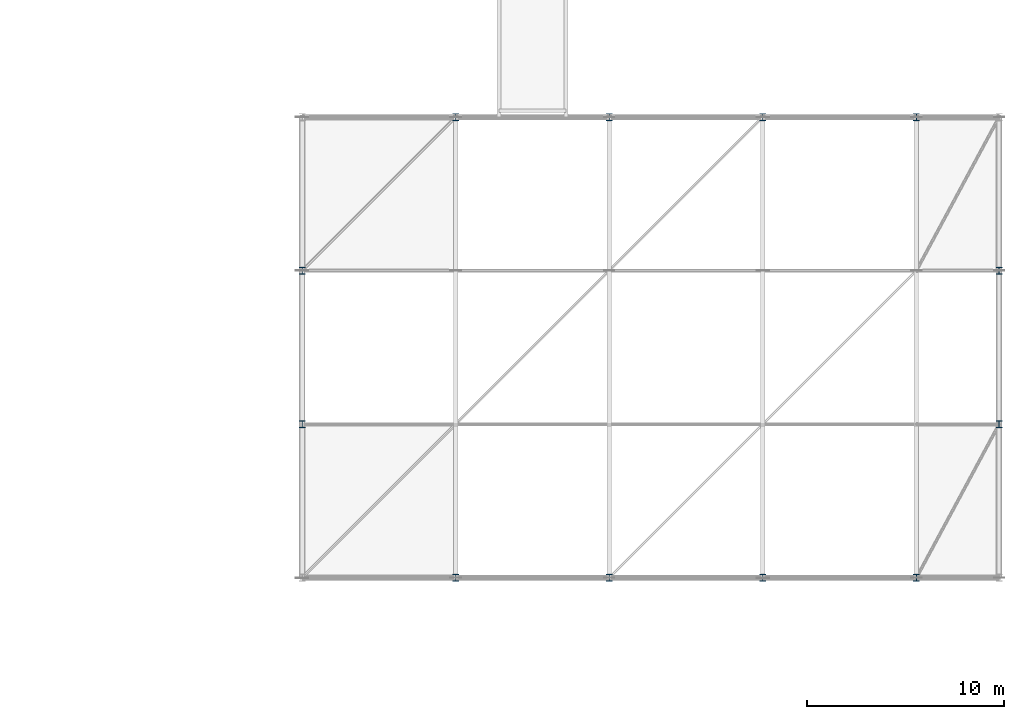
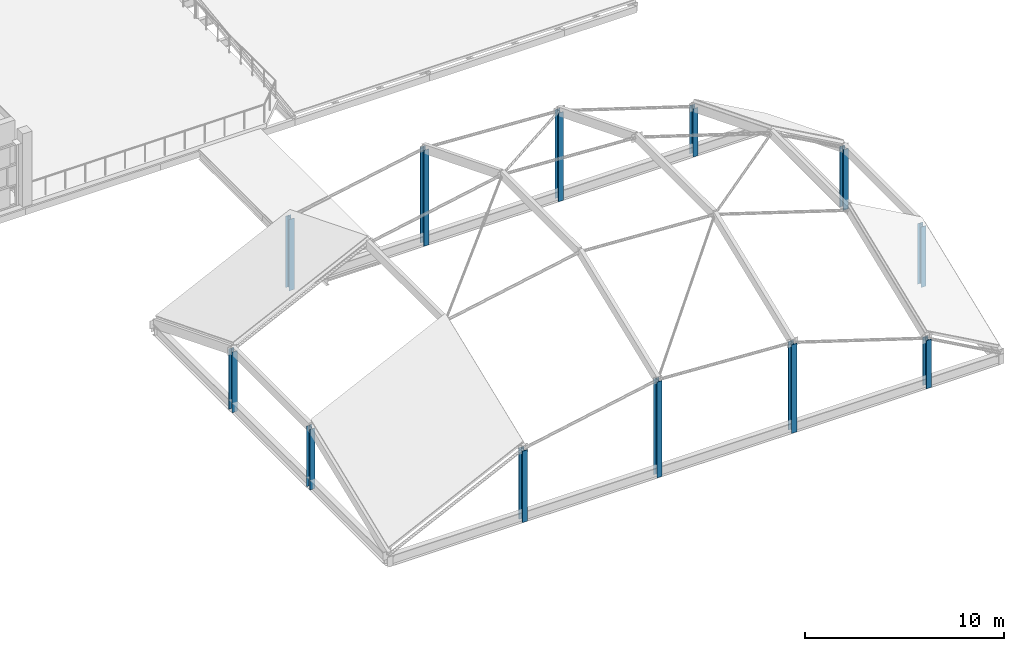
# One storey, part 11 of 119: 12 columns.
"""IFC4 building model written with IfcOpenShell, lengths in metres."""

from ifc_helpers import new_model, si_unit, direction, frame, origin, origin_2d, place, context, subcontext, project, spatial, i_section, extrude, material, material_profile, profile_set, type_object, element, save


model = new_model("IFC4")

# Units and contexts
model_context = context("Model", 3, precision=1e-05, world=origin(), true_north=direction((0.0, 1.0)))
body_context = subcontext(model_context, "Body", "Model", "MODEL_VIEW")
ifc_project = project(units=[si_unit("LENGTHUNIT", "METRE"), si_unit("AREAUNIT", "SQUARE_METRE"), si_unit("VOLUMEUNIT", "CUBIC_METRE"), si_unit("PLANEANGLEUNIT", "RADIAN"), si_unit("MASSUNIT", "GRAM", prefix="KILO")], contexts=[model_context])

# Site, building, storey
site_placement = place(None, origin())
site = spatial("IfcSite", under=ifc_project, at=site_placement, CompositionType="ELEMENT")
building_placement = place(site_placement, origin())
building = spatial("IfcBuilding", under=site, at=building_placement, Name="Celorna Specialist Clinic", CompositionType="ELEMENT")
storey_placement = place(building_placement, frame((0.0, 0.0, 9.60009765625)))
storey = spatial("IfcBuildingStorey", under=building, at=storey_placement, Name="L02", CompositionType="ELEMENT", Elevation=9.60009765625)

# Columns
ifc_material = material(Name="Steel S355", Category="steel")
ifc_material_profile = material_profile(ifc_material, i_section(OverallWidth=0.300048828125, OverallDepth=0.360107421875, WebThickness=0.012451171875, FlangeThickness=0.0224609375, at=origin_2d()), Name="HE 360 B")
ifc_profile_set = profile_set([ifc_material_profile], Name="Steel S355")
column_type = type_object("IfcColumnType", Name="CT-13", PredefinedType="COLUMN", material=ifc_profile_set)
for number, where, z_axis, x_axis, name in (
    (1, (132.60009765625, 67.800048828125, 0.0), (0.0, 0.0, 1.0), (1.0, 0.0, 0.0), "Column CT-13 L02 X18/YN"),
    (2, (132.60009765625, 75.60009765625, 0.0), (0.0, 0.0, 1.0), (1.0, 0.0, 0.0), "Column CT-13 L02 X18/YP"),
):
    element("IfcColumn", number, at=place(storey_placement, frame(where, z_axis=z_axis, x_axis=x_axis)), inside=storey, type_object=column_type, Name=name, PredefinedType="COLUMN", context=body_context, shape_type="SweptSolid", body=[
        extrude(i_section(OverallWidth=0.300048828125, OverallDepth=0.360107421875, WebThickness=0.012451171875, FlangeThickness=0.0224609375, at=origin_2d()), origin(), (0.0, 0.0, 1.0), 3.70556640625),
    ])
for number, where, z_axis, x_axis, name in (
    (3, (140.39990234375, 60.0, 0.0), (0.0, 0.0, 1.0), (1.0, 0.0, 0.0), "Column CT-13 L02 X19/YL"),
    (4, (140.39990234375, 83.39990234375, 0.0), (0.0, 0.0, 1.0), (1.0, 0.0, 0.0), "Column CT-13 L02 X19/YQ"),
):
    element("IfcColumn", number, at=place(storey_placement, frame(where, z_axis=z_axis, x_axis=x_axis)), inside=storey, type_object=column_type, Name=name, PredefinedType="COLUMN", context=body_context, shape_type="SweptSolid", body=[
        extrude(i_section(OverallWidth=0.300048828125, OverallDepth=0.360107421875, WebThickness=0.012451171875, FlangeThickness=0.0224609375, at=origin_2d()), origin(), (0.0, 0.0, 1.0), 4.368408203125),
    ])
for number, where, z_axis, x_axis, name in (
    (5, (148.199951171875, 60.0, 0.0), (0.0, 0.0, 1.0), (1.0, 0.0, 0.0), "Column CT-13 L02 X20/YL"),
    (6, (148.199951171875, 83.39990234375, 0.0), (0.0, 0.0, 1.0), (1.0, 0.0, 0.0), "Column CT-13 L02 X20/YQ"),
):
    element("IfcColumn", number, at=place(storey_placement, frame(where, z_axis=z_axis, x_axis=x_axis)), inside=storey, type_object=column_type, Name=name, PredefinedType="COLUMN", context=body_context, shape_type="SweptSolid", body=[
        extrude(i_section(OverallWidth=0.300048828125, OverallDepth=0.360107421875, WebThickness=0.012451171875, FlangeThickness=0.0224609375, at=origin_2d()), origin(), (0.0, 0.0, 1.0), 5.86865234375),
    ])
for number, where, z_axis, x_axis, name in (
    (7, (156.0, 60.0, 0.0), (0.0, 0.0, 1.0), (1.0, 0.0, 0.0), "Column CT-13 L02 X21/YL"),
    (8, (156.0, 83.39990234375, 0.0), (0.0, 0.0, 1.0), (1.0, 0.0, 0.0), "Column CT-13 L02 X21/YQ"),
):
    element("IfcColumn", number, at=place(storey_placement, frame(where, z_axis=z_axis, x_axis=x_axis)), inside=storey, type_object=column_type, Name=name, PredefinedType="COLUMN", context=body_context, shape_type="SweptSolid", body=[
        extrude(i_section(OverallWidth=0.300048828125, OverallDepth=0.360107421875, WebThickness=0.012451171875, FlangeThickness=0.0224609375, at=origin_2d()), origin(), (0.0, 0.0, 1.0), 5.426025390625),
    ])
for number, where, z_axis, x_axis, name in (
    (9, (163.800048828125, 60.0, 0.0), (0.0, 0.0, 1.0), (1.0, 0.0, 0.0), "Column CT-13 L02 X22/YL"),
    (10, (163.800048828125, 83.39990234375, 0.0), (0.0, 0.0, 1.0), (1.0, 0.0, 0.0), "Column CT-13 L02 X22/YQ"),
):
    element("IfcColumn", number, at=place(storey_placement, frame(where, z_axis=z_axis, x_axis=x_axis)), inside=storey, type_object=column_type, Name=name, PredefinedType="COLUMN", context=body_context, shape_type="SweptSolid", body=[
        extrude(i_section(OverallWidth=0.300048828125, OverallDepth=0.360107421875, WebThickness=0.012451171875, FlangeThickness=0.0224609375, at=origin_2d()), origin(), (0.0, 0.0, 1.0), 2.9521484375),
    ])
for number, where, z_axis, x_axis, name in (
    (11, (168.0, 67.800048828125, 0.0), (0.0, 0.0, 1.0), (1.0, 0.0, 0.0), "Column CT-13 L02 X23/YN"),
    (12, (168.0, 75.60009765625, 0.0), (0.0, 0.0, 1.0), (1.0, 0.0, 0.0), "Column CT-13 L02 X23/YP"),
):
    element("IfcColumn", number, at=place(storey_placement, frame(where, z_axis=z_axis, x_axis=x_axis)), inside=storey, type_object=column_type, Name=name, PredefinedType="COLUMN", context=body_context, shape_type="SweptSolid", body=[
        extrude(i_section(OverallWidth=0.300048828125, OverallDepth=0.360107421875, WebThickness=0.012451171875, FlangeThickness=0.0224609375, at=origin_2d()), origin(), (0.0, 0.0, 1.0), 3.70556640625),
    ])

save(model, "model.ifc")
